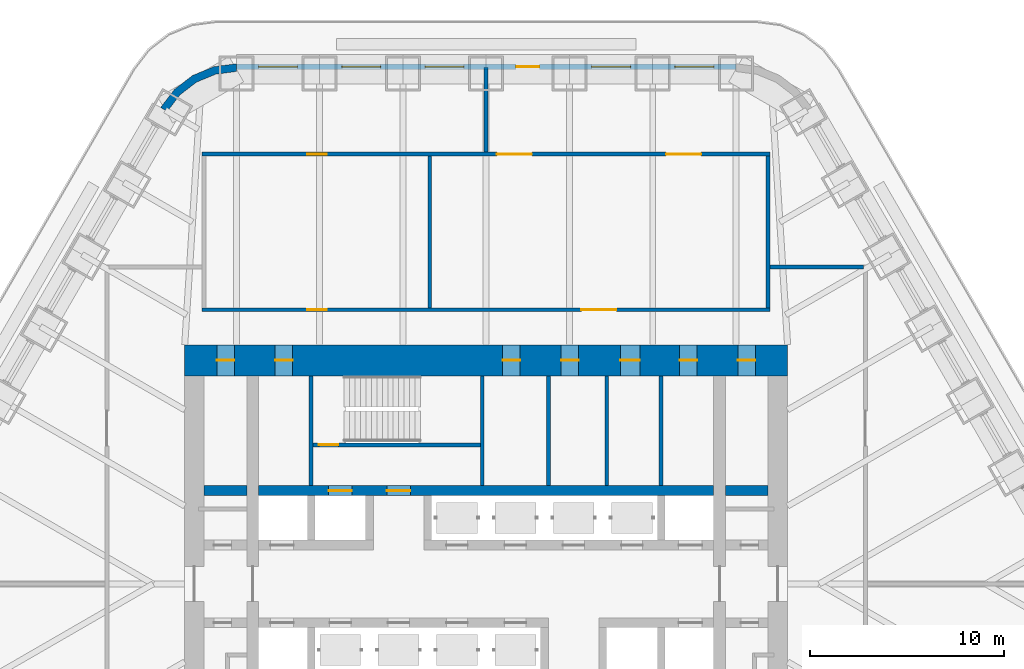
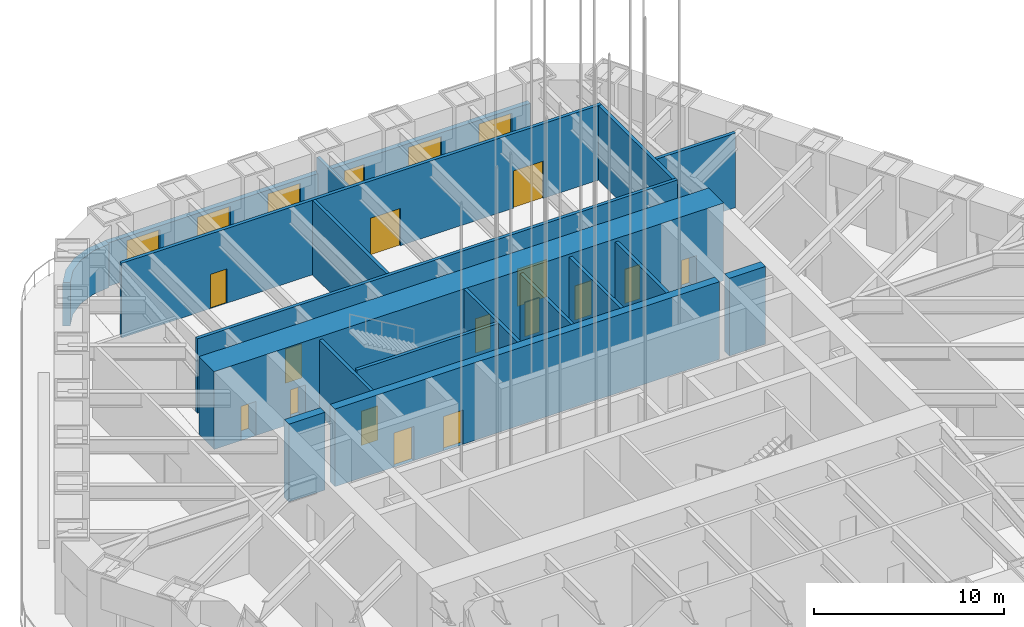
# One storey, part 10 of 14: 18 walls, 16 doors, 5 windows, 21 openings.
"""IFC4 building model written with IfcOpenShell, lengths in metres."""

from ifc_helpers import new_model, si_unit, direction, frame, frame_2d, origin, place, context, subcontext, project, spatial, polyline, rectangle, outline, extrude, material, layer, layer_set, type_object, element, fill, save


model = new_model("IFC4")

# Units and contexts
model_context = context("Model", 3, precision=1e-05, world=origin(), true_north=direction((0.0, 1.0)))
body_context = subcontext(model_context, "Body", "Model", "MODEL_VIEW")
ifc_project = project(units=[si_unit("LENGTHUNIT", "METRE"), si_unit("AREAUNIT", "SQUARE_METRE"), si_unit("VOLUMEUNIT", "CUBIC_METRE"), si_unit("PLANEANGLEUNIT", "RADIAN"), si_unit("MASSUNIT", "GRAM", prefix="KILO")], contexts=[model_context])

# Site, building, storey
site_placement = place(None, origin())
site = spatial("IfcSite", under=ifc_project, at=site_placement, CompositionType="ELEMENT")
building_placement = place(site_placement, origin())
building = spatial("IfcBuilding", under=site, at=building_placement, Name="Tarfa Lantern Tower", CompositionType="ELEMENT")
storey_placement = place(building_placement, frame((0.0, 0.0, 306.5)))
storey = spatial("IfcBuildingStorey", under=building, at=storey_placement, Name="L69", CompositionType="ELEMENT", Elevation=306.5)

# Wall, openings, door, windows
ifc_material_1 = material(Name="Limestone cladding on blockwork", Category="masonry")
ifc_layer_1 = layer(ifc_material_1, 0.300048828125)
ifc_layer_set_1 = layer_set([ifc_layer_1], Name="EW1 STONE-CLAD WALL 300")
wall_type_1 = type_object("IfcWallType", Name="EW1 STONE-CLAD WALL 300", PredefinedType="SOLIDWALL", material=ifc_layer_set_1)
wall_1_placement = place(storey_placement, frame((12.845947265625, 26.60009765625, 0.0), z_axis=(0.0, 0.0, 1.0), x_axis=(-1.0, 0.0, 0.0)))
wall_1 = element("IfcWall", 1, at=wall_1_placement, inside=storey, type_object=wall_type_1, Name="Stone wall N", PredefinedType="SOLIDWALL", context=body_context, shape_type="SweptSolid", body=[
    extrude(rectangle(XDim=25.69189453125, YDim=0.300048828125, at=frame_2d((12.845947265625, 0.0))), origin(), (0.0, 0.0, 1.0), 2.800048828125),
])
opening_1_placement = place(wall_1_placement, frame((1.14111328125, 0.0, 0.60009765625)))
opening_1 = element("IfcOpeningElement", 2, at=opening_1_placement, cuts=wall_1, Name="Opening W11", PredefinedType="OPENING", context=body_context, shape_type="SweptSolid", body=[
    extrude(rectangle(XDim=2.0, YDim=1.949951171875, at=frame_2d((1.0, 0.97509765625))), frame((0.0, 0.159912109375, 0.0), z_axis=(0.0, -1.0, 0.0), x_axis=(1.0, 0.0, 0.0)), (0.0, 0.0, 1.0), 0.320068359375),
])
opening_2_placement = place(wall_1_placement, frame((5.423095703125, 0.0, 0.60009765625)))
opening_2 = element("IfcOpeningElement", 3, at=opening_2_placement, cuts=wall_1, Name="Opening W11", PredefinedType="OPENING", context=body_context, shape_type="SweptSolid", body=[
    extrude(rectangle(XDim=2.0, YDim=1.949951171875, at=frame_2d((1.0, 0.97509765625))), frame((0.0, 0.159912109375, 0.0), z_axis=(0.0, -1.0, 0.0), x_axis=(1.0, 0.0, 0.0)), (0.0, 0.0, 1.0), 0.320068359375),
])
opening_3_placement = place(wall_1_placement, frame((10.10498046875, 0.0, 0.0)))
opening_3 = element("IfcOpeningElement", 4, at=opening_3_placement, cuts=wall_1, Name="Opening D42", PredefinedType="OPENING", context=body_context, shape_type="SweptSolid", body=[
    extrude(rectangle(XDim=1.199951171875, YDim=2.39990234375, at=frame_2d((0.60009765625, 1.199951171875))), frame((0.0, 0.159912109375, 0.0), z_axis=(0.0, -1.0, 0.0), x_axis=(1.0, 0.0, 0.0)), (0.0, 0.0, 1.0), 0.320068359375),
])
opening_4_placement = place(wall_1_placement, frame((13.987060546875, 0.0, 0.60009765625)))
opening_4 = element("IfcOpeningElement", 5, at=opening_4_placement, cuts=wall_1, Name="Opening W11", PredefinedType="OPENING", context=body_context, shape_type="SweptSolid", body=[
    extrude(rectangle(XDim=2.0, YDim=1.949951171875, at=frame_2d((1.0, 0.97509765625))), frame((0.0, 0.159912109375, 0.0), z_axis=(0.0, -1.0, 0.0), x_axis=(1.0, 0.0, 0.0)), (0.0, 0.0, 1.0), 0.320068359375),
])
opening_5_placement = place(wall_1_placement, frame((18.26904296875, 0.0, 0.60009765625)))
opening_5 = element("IfcOpeningElement", 6, at=opening_5_placement, cuts=wall_1, Name="Opening W11", PredefinedType="OPENING", context=body_context, shape_type="SweptSolid", body=[
    extrude(rectangle(XDim=2.0, YDim=1.949951171875, at=frame_2d((1.0, 0.97509765625))), frame((0.0, 0.159912109375, 0.0), z_axis=(0.0, -1.0, 0.0), x_axis=(1.0, 0.0, 0.0)), (0.0, 0.0, 1.0), 0.320068359375),
])
opening_6_placement = place(wall_1_placement, frame((22.551025390625, 0.0, 0.60009765625)))
opening_6 = element("IfcOpeningElement", 7, at=opening_6_placement, cuts=wall_1, Name="Opening W11", PredefinedType="OPENING", context=body_context, shape_type="SweptSolid", body=[
    extrude(rectangle(XDim=2.0, YDim=1.949951171875, at=frame_2d((1.0, 0.97509765625))), frame((0.0, 0.159912109375, 0.0), z_axis=(0.0, -1.0, 0.0), x_axis=(1.0, 0.0, 0.0)), (0.0, 0.0, 1.0), 0.320068359375),
])
ifc_material_2 = material(Name="Aluminium framed glazed door", Category="aluminium")
door_type_1 = type_object("IfcDoorType", Name="BE3 BALCONY DOOR 1200x2400", OperationType="SINGLE_SWING_RIGHT", PredefinedType="DOOR", material=ifc_material_2)
door_1_placement = place(opening_3_placement, origin())
door_1 = element("IfcDoor", 8, at=door_1_placement, inside=storey, type_object=door_type_1, Name="Balcony door N", OperationType="SINGLE_SWING_LEFT", OverallHeight=2.39990234375, OverallWidth=1.199951171875, PredefinedType="DOOR", context=body_context, shape_type="SweptSolid", body=[
    extrude(rectangle(XDim=1.199951171875, YDim=2.39990234375, at=frame_2d((0.60009765625, 1.199951171875))), frame((0.0, 0.02490234375, 0.0), z_axis=(0.0, -1.0, 0.0), x_axis=(1.0, 0.0, 0.0)), (0.0, 0.0, 1.0), 0.050048828125),
])
fill(opening_3, door_1)
ifc_material_3 = material(Name="Aluminium frame, double glazed", Category="aluminium")
window_type = type_object("IfcWindowType", Name="W11 FULL-HEIGHT GLAZING 2000x1950", PartitioningType="SINGLE_PANEL", PredefinedType="WINDOW", material=ifc_material_3)
window_1_placement = place(opening_1_placement, origin())
window_1 = element("IfcWindow", 9, at=window_1_placement, inside=storey, type_object=window_type, Name="Window N 1", OverallHeight=1.949951171875, OverallWidth=2.0, PartitioningType="SINGLE_PANEL", PredefinedType="WINDOW", context=body_context, shape_type="SweptSolid", body=[
    extrude(rectangle(XDim=2.0, YDim=1.949951171875, at=frame_2d((1.0, 0.97509765625))), frame((0.0, 0.030029296875, 0.0), z_axis=(0.0, -1.0, 0.0), x_axis=(1.0, 0.0, 0.0)), (0.0, 0.0, 1.0), 0.06005859375),
])
fill(opening_1, window_1)
window_2_placement = place(opening_2_placement, origin())
window_2 = element("IfcWindow", 10, at=window_2_placement, inside=storey, type_object=window_type, Name="Window N 2", OverallHeight=1.949951171875, OverallWidth=2.0, PartitioningType="SINGLE_PANEL", PredefinedType="WINDOW", context=body_context, shape_type="SweptSolid", body=[
    extrude(rectangle(XDim=2.0, YDim=1.949951171875, at=frame_2d((1.0, 0.97509765625))), frame((0.0, 0.030029296875, 0.0), z_axis=(0.0, -1.0, 0.0), x_axis=(1.0, 0.0, 0.0)), (0.0, 0.0, 1.0), 0.06005859375),
])
fill(opening_2, window_2)
window_3_placement = place(opening_4_placement, origin())
window_3 = element("IfcWindow", 11, at=window_3_placement, inside=storey, type_object=window_type, Name="Window N 4", OverallHeight=1.949951171875, OverallWidth=2.0, PartitioningType="SINGLE_PANEL", PredefinedType="WINDOW", context=body_context, shape_type="SweptSolid", body=[
    extrude(rectangle(XDim=2.0, YDim=1.949951171875, at=frame_2d((1.0, 0.97509765625))), frame((0.0, 0.030029296875, 0.0), z_axis=(0.0, -1.0, 0.0), x_axis=(1.0, 0.0, 0.0)), (0.0, 0.0, 1.0), 0.06005859375),
])
fill(opening_4, window_3)
window_4_placement = place(opening_5_placement, origin())
window_4 = element("IfcWindow", 12, at=window_4_placement, inside=storey, type_object=window_type, Name="Window N 5", OverallHeight=1.949951171875, OverallWidth=2.0, PartitioningType="SINGLE_PANEL", PredefinedType="WINDOW", context=body_context, shape_type="SweptSolid", body=[
    extrude(rectangle(XDim=2.0, YDim=1.949951171875, at=frame_2d((1.0, 0.97509765625))), frame((0.0, 0.030029296875, 0.0), z_axis=(0.0, -1.0, 0.0), x_axis=(1.0, 0.0, 0.0)), (0.0, 0.0, 1.0), 0.06005859375),
])
fill(opening_5, window_4)
window_5_placement = place(opening_6_placement, origin())
window_5 = element("IfcWindow", 13, at=window_5_placement, inside=storey, type_object=window_type, Name="Window N 6", OverallHeight=1.949951171875, OverallWidth=2.0, PartitioningType="SINGLE_PANEL", PredefinedType="WINDOW", context=body_context, shape_type="SweptSolid", body=[
    extrude(rectangle(XDim=2.0, YDim=1.949951171875, at=frame_2d((1.0, 0.97509765625))), frame((0.0, 0.030029296875, 0.0), z_axis=(0.0, -1.0, 0.0), x_axis=(1.0, 0.0, 0.0)), (0.0, 0.0, 1.0), 0.06005859375),
])
fill(opening_6, window_5)

# Walls
ifc_layer_2 = layer(ifc_material_1, 0.39990234375)
ifc_layer_set_2 = layer_set([ifc_layer_2], Name="EW2 CURVED STONE CORNER 400")
wall_type_2 = type_object("IfcWallType", Name="EW2 CURVED STONE CORNER 400", PredefinedType="SOLIDWALL", material=ifc_layer_set_2)
wall_2_placement = place(storey_placement, origin())
element("IfcWall", 14, at=wall_2_placement, inside=storey, type_object=wall_type_2, Name="Stone corner N-NW", PredefinedType="SOLIDWALL", context=body_context, shape_type="SweptSolid", body=[
    extrude(outline(polyline([(-12.845947265625, 26.75), (-14.0107421875, 26.5966796875), (-15.095947265625, 26.147216796875), (-16.028076171875, 25.431884765625), (-16.7431640625, 24.5), (-16.396728515625, 24.300048828125), (-15.7451171875, 25.149169921875), (-14.89599609375, 25.80078125), (-13.9072265625, 26.210205078125), (-12.845947265625, 26.35009765625), (-12.845947265625, 26.75)])), origin(), (0.0, 0.0, 1.0), 2.800048828125),
])
ifc_material_4 = material(Name="Concrete blockwork", Category="masonry")
ifc_layer_3 = layer(ifc_material_4, 0.199951171875)
ifc_layer_set_3 = layer_set([ifc_layer_3], Name="IW1 BLOCKWORK PARTITION 200 EI 120")
wall_type_3 = type_object("IfcWallType", Name="IW1 BLOCKWORK PARTITION 200 EI 120", PredefinedType="PARTITIONING", material=ifc_layer_set_3)
for number, where, z_axis, x_axis, name in (
    (15, (-9.0, 5.050048828125, 0.0), (0.0, 0.0, 1.0), (0.0, 1.0, 0.0), "Core partition"),
    (16, (9.0, 5.050048828125, 0.0), (0.0, 0.0, 1.0), (0.0, 1.0, 0.0), "Core partition"),
    (17, (3.199951171875, 5.050048828125, 0.0), (0.0, 0.0, 1.0), (0.0, 1.0, 0.0), "Core partition"),
    (18, (6.199951171875, 5.050048828125, 0.0), (0.0, 0.0, 1.0), (0.0, 1.0, 0.0), "Core partition"),
):
    element("IfcWall", number, at=place(storey_placement, frame(where, z_axis=z_axis, x_axis=x_axis)), inside=storey, type_object=wall_type_3, Name=name, PredefinedType="PARTITIONING", context=body_context, shape_type="SweptSolid", body=[
        extrude(rectangle(XDim=5.64990234375, YDim=0.199951171875, at=frame_2d((2.824951171875, 0.0))), origin(), (0.0, 0.0, 1.0), 4.800048828125),
    ])

# Wall, openings, doors
ifc_material_5 = material(Name="Gypsum board on steel studs", Category="steel")
ifc_layer_4 = layer(ifc_material_5, 0.2099609375)
ifc_layer_set_4 = layer_set([ifc_layer_4], Name="IW2 ACOUSTIC PARTITION 200")
wall_type_4 = type_object("IfcWallType", Name="IW2 ACOUSTIC PARTITION 200", PredefinedType="PARTITIONING", material=ifc_layer_set_4)
wall_3_placement = place(storey_placement, frame((-14.60009765625, 14.10009765625, 0.0), z_axis=(0.0, 0.0, 1.0), x_axis=(1.0, 0.0, 0.0)))
wall_3 = element("IfcWall", 19, at=wall_3_placement, inside=storey, type_object=wall_type_4, Name="Partition", PredefinedType="PARTITIONING", context=body_context, shape_type="SweptSolid", body=[
    extrude(rectangle(XDim=29.2001953125, YDim=0.199951171875, at=frame_2d((14.60009765625, 0.0))), origin(), (0.0, 0.0, 1.0), 4.800048828125),
])
opening_7_placement = place(wall_3_placement, frame((5.39990234375, 0.0, 0.0)))
opening_7 = element("IfcOpeningElement", 20, at=opening_7_placement, cuts=wall_3, Name="Opening D33", PredefinedType="OPENING", context=body_context, shape_type="SweptSolid", body=[
    extrude(rectangle(XDim=1.0, YDim=2.199951171875, at=frame_2d((0.5, 1.10009765625))), frame((0.0, 0.10986328125, 0.0), z_axis=(0.0, -1.0, 0.0), x_axis=(1.0, 0.0, 0.0)), (0.0, 0.0, 1.0), 0.219970703125),
])
opening_8_placement = place(wall_3_placement, frame((19.5, 0.0, 0.0)))
opening_8 = element("IfcOpeningElement", 21, at=opening_8_placement, cuts=wall_3, Name="Opening D34", PredefinedType="OPENING", context=body_context, shape_type="SweptSolid", body=[
    extrude(rectangle(XDim=1.800048828125, YDim=2.39990234375, at=frame_2d((0.89990234375, 1.199951171875))), frame((0.0, 0.10986328125, 0.0), z_axis=(0.0, -1.0, 0.0), x_axis=(1.0, 0.0, 0.0)), (0.0, 0.0, 1.0), 0.219970703125),
])
ifc_material_6 = material(Name="Timber door", Category="wood")
door_type_2 = type_object("IfcDoorType", Name="DR1 ROOM DOOR 1000x2200", OperationType="SINGLE_SWING_LEFT", PredefinedType="DOOR", material=ifc_material_6)
door_2_placement = place(opening_7_placement, origin())
door_2 = element("IfcDoor", 22, at=door_2_placement, inside=storey, type_object=door_type_2, Name="Arrival reception door", OperationType="SINGLE_SWING_RIGHT", OverallHeight=2.199951171875, OverallWidth=1.0, PredefinedType="DOOR", context=body_context, shape_type="SweptSolid", body=[
    extrude(rectangle(XDim=1.0, YDim=2.199951171875, at=frame_2d((0.5, 1.10009765625))), frame((0.0, 0.02490234375, 0.0), z_axis=(0.0, -1.0, 0.0), x_axis=(1.0, 0.0, 0.0)), (0.0, 0.0, 1.0), 0.050048828125),
])
fill(opening_7, door_2)
door_type_3 = type_object("IfcDoorType", Name="DR2 ROOM DOOR 1800x2400", OperationType="DOUBLE_DOOR_SINGLE_SWING", PredefinedType="DOOR", material=ifc_material_6)
door_3_placement = place(opening_8_placement, origin())
door_3 = element("IfcDoor", 23, at=door_3_placement, inside=storey, type_object=door_type_3, Name="Majlis door", OperationType="DOUBLE_DOOR_SINGLE_SWING", OverallHeight=2.39990234375, OverallWidth=1.800048828125, PredefinedType="DOOR", context=body_context, shape_type="SweptSolid", body=[
    extrude(rectangle(XDim=1.800048828125, YDim=2.39990234375, at=frame_2d((0.89990234375, 1.199951171875))), frame((0.0, 0.02490234375, 0.0), z_axis=(0.0, -1.0, 0.0), x_axis=(1.0, 0.0, 0.0)), (0.0, 0.0, 1.0), 0.050048828125),
])
fill(opening_8, door_3)

# Walls
for number, where, z_axis, x_axis, name in (
    (24, (-2.89990234375, 14.199951171875, 0.0), (0.0, 0.0, 1.0), (0.0, 1.0, 0.0), "Partition"),
    (25, (14.5, 14.199951171875, 0.0), (0.0, 0.0, 1.0), (0.0, 1.0, 0.0), "Partition"),
):
    element("IfcWall", number, at=place(storey_placement, frame(where, z_axis=z_axis, x_axis=x_axis)), inside=storey, type_object=wall_type_4, Name=name, PredefinedType="PARTITIONING", context=body_context, shape_type="SweptSolid", body=[
        extrude(rectangle(XDim=7.800048828125, YDim=0.199951171875, at=frame_2d((3.89990234375, 0.0))), origin(), (0.0, 0.0, 1.0), 4.800048828125),
    ])

# Wall, openings, doors
wall_4_placement = place(storey_placement, frame((-14.60009765625, 22.10009765625, 0.0), z_axis=(0.0, 0.0, 1.0), x_axis=(1.0, 0.0, 0.0)))
wall_4 = element("IfcWall", 26, at=wall_4_placement, inside=storey, type_object=wall_type_4, Name="Partition", PredefinedType="PARTITIONING", context=body_context, shape_type="SweptSolid", body=[
    extrude(rectangle(XDim=29.2001953125, YDim=0.199951171875, at=frame_2d((14.60009765625, 0.0))), origin(), (0.0, 0.0, 1.0), 4.800048828125),
])
opening_9_placement = place(wall_4_placement, frame((5.39990234375, 0.0, 0.0)))
opening_9 = element("IfcOpeningElement", 27, at=opening_9_placement, cuts=wall_4, Name="Opening D27", PredefinedType="OPENING", context=body_context, shape_type="SweptSolid", body=[
    extrude(rectangle(XDim=1.0, YDim=2.199951171875, at=frame_2d((0.5, 1.10009765625))), frame((0.0, 0.10986328125, 0.0), z_axis=(0.0, -1.0, 0.0), x_axis=(1.0, 0.0, 0.0)), (0.0, 0.0, 1.0), 0.219970703125),
])
opening_10_placement = place(wall_4_placement, frame((15.14990234375, 0.0, 0.0)))
opening_10 = element("IfcOpeningElement", 28, at=opening_10_placement, cuts=wall_4, Name="Opening D28", PredefinedType="OPENING", context=body_context, shape_type="SweptSolid", body=[
    extrude(rectangle(XDim=1.800048828125, YDim=2.39990234375, at=frame_2d((0.89990234375, 1.199951171875))), frame((0.0, 0.10986328125, 0.0), z_axis=(0.0, -1.0, 0.0), x_axis=(1.0, 0.0, 0.0)), (0.0, 0.0, 1.0), 0.219970703125),
])
opening_11_placement = place(wall_4_placement, frame((23.85009765625, 0.0, 0.0)))
opening_11 = element("IfcOpeningElement", 29, at=opening_11_placement, cuts=wall_4, Name="Opening D29", PredefinedType="OPENING", context=body_context, shape_type="SweptSolid", body=[
    extrude(rectangle(XDim=1.800048828125, YDim=2.39990234375, at=frame_2d((0.89990234375, 1.199951171875))), frame((0.0, 0.10986328125, 0.0), z_axis=(0.0, -1.0, 0.0), x_axis=(1.0, 0.0, 0.0)), (0.0, 0.0, 1.0), 0.219970703125),
])
door_4_placement = place(opening_9_placement, frame((1.0, 0.0, 0.0), z_axis=(0.0, 0.0, 1.0), x_axis=(-1.0, 0.0, 0.0)))
door_4 = element("IfcDoor", 30, at=door_4_placement, inside=storey, type_object=door_type_2, Name="Arrival reception door", OperationType="SINGLE_SWING_LEFT", OverallHeight=2.199951171875, OverallWidth=1.0, PredefinedType="DOOR", context=body_context, shape_type="SweptSolid", body=[
    extrude(rectangle(XDim=1.0, YDim=2.199951171875, at=frame_2d((0.5, 1.10009765625))), frame((0.0, 0.02490234375, 0.0), z_axis=(0.0, -1.0, 0.0), x_axis=(1.0, 0.0, 0.0)), (0.0, 0.0, 1.0), 0.050048828125),
])
fill(opening_9, door_4)
door_5_placement = place(opening_10_placement, frame((1.800048828125, 0.0, 0.0), z_axis=(0.0, 0.0, 1.0), x_axis=(-1.0, 0.0, 0.0)))
door_5 = element("IfcDoor", 31, at=door_5_placement, inside=storey, type_object=door_type_3, Name="Majlis door", OperationType="DOUBLE_DOOR_SINGLE_SWING", OverallHeight=2.39990234375, OverallWidth=1.800048828125, PredefinedType="DOOR", context=body_context, shape_type="SweptSolid", body=[
    extrude(rectangle(XDim=1.800048828125, YDim=2.39990234375, at=frame_2d((0.89990234375, 1.199951171875))), frame((0.0, 0.02490234375, 0.0), z_axis=(0.0, -1.0, 0.0), x_axis=(1.0, 0.0, 0.0)), (0.0, 0.0, 1.0), 0.050048828125),
])
fill(opening_10, door_5)
door_6_placement = place(opening_11_placement, frame((1.800048828125, 0.0, 0.0), z_axis=(0.0, 0.0, 1.0), x_axis=(-1.0, 0.0, 0.0)))
door_6 = element("IfcDoor", 32, at=door_6_placement, inside=storey, type_object=door_type_3, Name="Majlis door", OperationType="DOUBLE_DOOR_SINGLE_SWING", OverallHeight=2.39990234375, OverallWidth=1.800048828125, PredefinedType="DOOR", context=body_context, shape_type="SweptSolid", body=[
    extrude(rectangle(XDim=1.800048828125, YDim=2.39990234375, at=frame_2d((0.89990234375, 1.199951171875))), frame((0.0, 0.02490234375, 0.0), z_axis=(0.0, -1.0, 0.0), x_axis=(1.0, 0.0, 0.0)), (0.0, 0.0, 1.0), 0.050048828125),
])
fill(opening_11, door_6)

# Walls
wall_5_placement = place(storey_placement, frame((14.60009765625, 16.300048828125, 0.0), z_axis=(0.0, 0.0, 1.0), x_axis=(1.0, 0.0, 0.0)))
element("IfcWall", 33, at=wall_5_placement, inside=storey, type_object=wall_type_4, Name="Partition", PredefinedType="PARTITIONING", context=body_context, shape_type="SweptSolid", body=[
    extrude(rectangle(XDim=4.7998046875, YDim=0.199951171875, at=frame_2d((2.39990234375, 0.0))), origin(), (0.0, 0.0, 1.0), 4.800048828125),
])
wall_6_placement = place(storey_placement, frame((0.0, 22.199951171875, 0.0), z_axis=(0.0, 0.0, 1.0), x_axis=(0.0, 1.0, 0.0)))
element("IfcWall", 34, at=wall_6_placement, inside=storey, type_object=wall_type_4, Name="Partition", PredefinedType="PARTITIONING", context=body_context, shape_type="SweptSolid", body=[
    extrude(rectangle(XDim=4.360107421875, YDim=0.199951171875, at=frame_2d((2.18017578125, 0.0))), origin(), (0.0, 0.0, 1.0), 3.7919921875),
])
ifc_material_7 = material(Name="Concrete C80/95", Category="concrete")
ifc_layer_5 = layer(ifc_material_7, 0.199951171875)
ifc_layer_set_5 = layer_set([ifc_layer_5], Name="SW12 CORE WALL 200")
wall_type_5 = type_object("IfcWallType", Name="SW12 CORE WALL 200", PredefinedType="SHEAR", material=ifc_layer_set_5)
wall_7_placement = place(storey_placement, frame((-0.199951171875, 5.050048828125, 0.0), z_axis=(0.0, 0.0, 1.0), x_axis=(0.0, 1.0, 0.0)))
element("IfcWall", 35, at=wall_7_placement, inside=storey, type_object=wall_type_5, Name="Core wall stair shaft N", PredefinedType="SHEAR", context=body_context, shape_type="SweptSolid", body=[
    extrude(rectangle(XDim=5.64990234375, YDim=0.199951171875, at=frame_2d((2.824951171875, 0.0))), origin(), (0.0, 0.0, 1.0), 5.0),
])

# Wall, opening, door
wall_8_placement = place(storey_placement, frame((-8.89990234375, 7.14990234375, 0.0), z_axis=(0.0, 0.0, 1.0), x_axis=(1.0, 0.0, 0.0)))
wall_8 = element("IfcWall", 36, at=wall_8_placement, inside=storey, type_object=wall_type_5, Name="Core wall stair partition N", PredefinedType="SHEAR", context=body_context, shape_type="SweptSolid", body=[
    extrude(rectangle(XDim=8.599853515625, YDim=0.199951171875, at=frame_2d((4.2998046875, 0.0))), origin(), (0.0, 0.0, 1.0), 5.0),
])
opening_12_placement = place(wall_8_placement, frame((0.300048828125, 0.0, 0.0)))
opening_12 = element("IfcOpeningElement", 37, at=opening_12_placement, cuts=wall_8, Name="Opening D23", PredefinedType="OPENING", context=body_context, shape_type="SweptSolid", body=[
    extrude(rectangle(XDim=1.0, YDim=2.199951171875, at=frame_2d((0.5, 1.10009765625))), frame((0.0, 0.10986328125, 0.0), z_axis=(0.0, -1.0, 0.0), x_axis=(1.0, 0.0, 0.0)), (0.0, 0.0, 1.0), 0.219970703125),
])
ifc_material_8 = material(Name="Steel fire door", Category="steel")
door_type_4 = type_object("IfcDoorType", Name="DF2 STAIR DOOR 1000x2200", OperationType="SINGLE_SWING_LEFT", PredefinedType="DOOR", material=ifc_material_8)
door_7_placement = place(opening_12_placement, origin())
door_7 = element("IfcDoor", 38, at=door_7_placement, inside=storey, type_object=door_type_4, Name="Stair door", OperationType="SINGLE_SWING_RIGHT", OverallHeight=2.199951171875, OverallWidth=1.0, PredefinedType="DOOR", context=body_context, shape_type="SweptSolid", body=[
    extrude(rectangle(XDim=1.0, YDim=2.199951171875, at=frame_2d((0.5, 1.10009765625))), frame((0.0, 0.02490234375, 0.0), z_axis=(0.0, -1.0, 0.0), x_axis=(1.0, 0.0, 0.0)), (0.0, 0.0, 1.0), 0.050048828125),
])
fill(opening_12, door_7)

# Wall
ifc_layer_6 = layer(ifc_material_7, 0.5)
ifc_layer_set_6 = layer_set([ifc_layer_6], Name="SW5 CORE WALL 500")
wall_type_6 = type_object("IfcWallType", Name="SW5 CORE WALL 500", PredefinedType="SHEAR", material=ifc_layer_set_6)
wall_9_placement = place(storey_placement, frame((-14.5, 4.800048828125, 0.0), z_axis=(0.0, 0.0, 1.0), x_axis=(1.0, 0.0, 0.0)))
element("IfcWall", 39, at=wall_9_placement, inside=storey, type_object=wall_type_6, Name="Core wall rear N", PredefinedType="SHEAR", context=body_context, shape_type="SweptSolid", body=[
    extrude(rectangle(XDim=2.199951171875, YDim=0.5, at=frame_2d((1.10009765625, 0.0))), origin(), (0.0, 0.0, 1.0), 5.0),
])

# Wall, openings, doors
wall_10_placement = place(storey_placement, frame((-11.699951171875, 4.800048828125, 0.0), z_axis=(0.0, 0.0, 1.0), x_axis=(1.0, 0.0, 0.0)))
wall_10 = element("IfcWall", 40, at=wall_10_placement, inside=storey, type_object=wall_type_6, Name="Core wall rear N", PredefinedType="SHEAR", context=body_context, shape_type="SweptSolid", body=[
    extrude(rectangle(XDim=23.39990234375, YDim=0.5, at=frame_2d((11.699951171875, 0.0))), origin(), (0.0, 0.0, 1.0), 5.0),
])
opening_13_placement = place(wall_10_placement, frame((6.60009765625, 0.0, 0.0)))
opening_13 = element("IfcOpeningElement", 41, at=opening_13_placement, cuts=wall_10, Name="Opening D09", PredefinedType="OPENING", context=body_context, shape_type="SweptSolid", body=[
    extrude(rectangle(XDim=1.199951171875, YDim=2.199951171875, at=frame_2d((0.60009765625, 1.10009765625))), frame((0.0, 0.260009765625, 0.0), z_axis=(0.0, -1.0, 0.0), x_axis=(1.0, 0.0, 0.0)), (0.0, 0.0, 1.0), 0.52001953125),
])
opening_14_placement = place(wall_10_placement, frame((3.60009765625, 0.0, 0.0)))
opening_14 = element("IfcOpeningElement", 42, at=opening_14_placement, cuts=wall_10, Name="Opening LD01", PredefinedType="OPENING", context=body_context, shape_type="SweptSolid", body=[
    extrude(rectangle(XDim=1.199951171875, YDim=2.199951171875, at=frame_2d((0.60009765625, 1.10009765625))), frame((0.0, 0.260009765625, 0.0), z_axis=(0.0, -1.0, 0.0), x_axis=(1.0, 0.0, 0.0)), (0.0, 0.0, 1.0), 0.52001953125),
])
door_type_5 = type_object("IfcDoorType", Name="DF1 FIREFIGHTING LOBBY DOOR 1200x2200", OperationType="SINGLE_SWING_LEFT", PredefinedType="DOOR", material=ifc_material_8)
door_8_placement = place(opening_13_placement, origin())
door_8 = element("IfcDoor", 43, at=door_8_placement, inside=storey, type_object=door_type_5, Name="Firefighting lobby door", OperationType="SINGLE_SWING_LEFT", OverallHeight=2.199951171875, OverallWidth=1.199951171875, PredefinedType="DOOR", context=body_context, shape_type="SweptSolid", body=[
    extrude(rectangle(XDim=1.199951171875, YDim=2.199951171875, at=frame_2d((0.60009765625, 1.10009765625))), frame((0.0, 0.02490234375, 0.0), z_axis=(0.0, -1.0, 0.0), x_axis=(1.0, 0.0, 0.0)), (0.0, 0.0, 1.0), 0.050048828125),
])
fill(opening_13, door_8)
ifc_material_9 = material(Name="Stainless steel lift door", Category="steel")
door_type_6 = type_object("IfcDoorType", Name="LD1 LIFT LANDING DOOR 1200x2200", OperationType="SLIDING_TO_LEFT", PredefinedType="DOOR", material=ifc_material_9)
door_9_placement = place(opening_14_placement, origin())
door_9 = element("IfcDoor", 44, at=door_9_placement, inside=storey, type_object=door_type_6, Name="Landing door FL1", OperationType="SLIDING_TO_LEFT", OverallHeight=2.199951171875, OverallWidth=1.199951171875, PredefinedType="DOOR", context=body_context, shape_type="SweptSolid", body=[
    extrude(rectangle(XDim=1.199951171875, YDim=2.199951171875, at=frame_2d((0.60009765625, 1.10009765625))), frame((0.0, 0.02490234375, 0.0), z_axis=(0.0, -1.0, 0.0), x_axis=(1.0, 0.0, 0.0)), (0.0, 0.0, 1.0), 0.050048828125),
])
fill(opening_14, door_9)

# Wall
wall_11_placement = place(storey_placement, frame((12.300048828125, 4.800048828125, 0.0), z_axis=(0.0, 0.0, 1.0), x_axis=(1.0, 0.0, 0.0)))
element("IfcWall", 45, at=wall_11_placement, inside=storey, type_object=wall_type_6, Name="Core wall rear N", PredefinedType="SHEAR", context=body_context, shape_type="SweptSolid", body=[
    extrude(rectangle(XDim=2.199951171875, YDim=0.5, at=frame_2d((1.10009765625, 0.0))), origin(), (0.0, 0.0, 1.0), 5.0),
])

# Wall, openings, doors
ifc_layer_7 = layer(ifc_material_7, 1.60009765625)
ifc_layer_set_7 = layer_set([ifc_layer_7], Name="SW7 CORE WALL 1600")
wall_type_7 = type_object("IfcWallType", Name="SW7 CORE WALL 1600", PredefinedType="SHEAR", material=ifc_layer_set_7)
wall_12_placement = place(storey_placement, frame((-15.5, 11.5, 0.0), z_axis=(0.0, 0.0, 1.0), x_axis=(1.0, 0.0, 0.0)))
wall_12 = element("IfcWall", 46, at=wall_12_placement, inside=storey, type_object=wall_type_7, Name="Core wall N", PredefinedType="SHEAR", context=body_context, shape_type="SweptSolid", body=[
    extrude(rectangle(XDim=31.0, YDim=1.60009765625, at=frame_2d((15.5, 0.0))), origin(), (0.0, 0.0, 1.0), 5.0),
])
opening_15_placement = place(wall_12_placement, frame((16.35009765625, 0.0, 0.0)))
opening_15 = element("IfcOpeningElement", 47, at=opening_15_placement, cuts=wall_12, Name="Opening D17", PredefinedType="OPENING", context=body_context, shape_type="SweptSolid", body=[
    extrude(rectangle(XDim=0.89990234375, YDim=2.199951171875, at=frame_2d((0.449951171875, 1.10009765625))), frame((0.0, 0.81005859375, 0.0), z_axis=(0.0, -1.0, 0.0), x_axis=(1.0, 0.0, 0.0)), (0.0, 0.0, 1.0), 1.6201171875),
])
opening_16_placement = place(wall_12_placement, frame((19.35009765625, 0.0, 0.0)))
opening_16 = element("IfcOpeningElement", 48, at=opening_16_placement, cuts=wall_12, Name="Opening D19", PredefinedType="OPENING", context=body_context, shape_type="SweptSolid", body=[
    extrude(rectangle(XDim=0.89990234375, YDim=2.199951171875, at=frame_2d((0.449951171875, 1.10009765625))), frame((0.0, 0.81005859375, 0.0), z_axis=(0.0, -1.0, 0.0), x_axis=(1.0, 0.0, 0.0)), (0.0, 0.0, 1.0), 1.6201171875),
])
opening_17_placement = place(wall_12_placement, frame((22.39990234375, 0.0, 0.0)))
opening_17 = element("IfcOpeningElement", 49, at=opening_17_placement, cuts=wall_12, Name="Opening D21", PredefinedType="OPENING", context=body_context, shape_type="SweptSolid", body=[
    extrude(rectangle(XDim=1.0, YDim=2.199951171875, at=frame_2d((0.5, 1.10009765625))), frame((0.0, 0.81005859375, 0.0), z_axis=(0.0, -1.0, 0.0), x_axis=(1.0, 0.0, 0.0)), (0.0, 0.0, 1.0), 1.6201171875),
])
opening_18_placement = place(wall_12_placement, frame((1.64990234375, 0.0, 0.0)))
opening_18 = element("IfcOpeningElement", 50, at=opening_18_placement, cuts=wall_12, Name="Opening D07", PredefinedType="OPENING", context=body_context, shape_type="SweptSolid", body=[
    extrude(rectangle(XDim=0.89990234375, YDim=2.199951171875, at=frame_2d((0.449951171875, 1.10009765625))), frame((0.0, 0.81005859375, 0.0), z_axis=(0.0, -1.0, 0.0), x_axis=(1.0, 0.0, 0.0)), (0.0, 0.0, 1.0), 1.6201171875),
])
opening_19_placement = place(wall_12_placement, frame((4.64990234375, 0.0, 0.0)))
opening_19 = element("IfcOpeningElement", 51, at=opening_19_placement, cuts=wall_12, Name="Opening D05", PredefinedType="OPENING", context=body_context, shape_type="SweptSolid", body=[
    extrude(rectangle(XDim=0.89990234375, YDim=2.199951171875, at=frame_2d((0.449951171875, 1.10009765625))), frame((0.0, 0.81005859375, 0.0), z_axis=(0.0, -1.0, 0.0), x_axis=(1.0, 0.0, 0.0)), (0.0, 0.0, 1.0), 1.6201171875),
])
opening_20_placement = place(wall_12_placement, frame((25.449951171875, 0.0, 0.0)))
opening_20 = element("IfcOpeningElement", 52, at=opening_20_placement, cuts=wall_12, Name="Opening D03", PredefinedType="OPENING", context=body_context, shape_type="SweptSolid", body=[
    extrude(rectangle(XDim=0.89990234375, YDim=2.199951171875, at=frame_2d((0.449951171875, 1.10009765625))), frame((0.0, 0.81005859375, 0.0), z_axis=(0.0, -1.0, 0.0), x_axis=(1.0, 0.0, 0.0)), (0.0, 0.0, 1.0), 1.6201171875),
])
opening_21_placement = place(wall_12_placement, frame((28.449951171875, 0.0, 0.0)))
opening_21 = element("IfcOpeningElement", 53, at=opening_21_placement, cuts=wall_12, Name="Opening D01", PredefinedType="OPENING", context=body_context, shape_type="SweptSolid", body=[
    extrude(rectangle(XDim=0.89990234375, YDim=2.199951171875, at=frame_2d((0.449951171875, 1.10009765625))), frame((0.0, 0.81005859375, 0.0), z_axis=(0.0, -1.0, 0.0), x_axis=(1.0, 0.0, 0.0)), (0.0, 0.0, 1.0), 1.6201171875),
])
door_type_7 = type_object("IfcDoorType", Name="DF3 CORE ROOM DOOR 900x2200", OperationType="SINGLE_SWING_LEFT", PredefinedType="DOOR", material=ifc_material_8)
door_10_placement = place(opening_15_placement, frame((0.89990234375, 0.0, 0.0), z_axis=(0.0, 0.0, 1.0), x_axis=(-1.0, 0.0, 0.0)))
door_10 = element("IfcDoor", 54, at=door_10_placement, inside=storey, type_object=door_type_7, Name="Core door", OperationType="SINGLE_SWING_LEFT", OverallHeight=2.199951171875, OverallWidth=0.89990234375, PredefinedType="DOOR", context=body_context, shape_type="SweptSolid", body=[
    extrude(rectangle(XDim=0.89990234375, YDim=2.199951171875, at=frame_2d((0.449951171875, 1.10009765625))), frame((0.0, 0.02490234375, 0.0), z_axis=(0.0, -1.0, 0.0), x_axis=(1.0, 0.0, 0.0)), (0.0, 0.0, 1.0), 0.050048828125),
])
fill(opening_15, door_10)
door_11_placement = place(opening_16_placement, frame((0.89990234375, 0.0, 0.0), z_axis=(0.0, 0.0, 1.0), x_axis=(-1.0, 0.0, 0.0)))
door_11 = element("IfcDoor", 55, at=door_11_placement, inside=storey, type_object=door_type_7, Name="Core door", OperationType="SINGLE_SWING_LEFT", OverallHeight=2.199951171875, OverallWidth=0.89990234375, PredefinedType="DOOR", context=body_context, shape_type="SweptSolid", body=[
    extrude(rectangle(XDim=0.89990234375, YDim=2.199951171875, at=frame_2d((0.449951171875, 1.10009765625))), frame((0.0, 0.02490234375, 0.0), z_axis=(0.0, -1.0, 0.0), x_axis=(1.0, 0.0, 0.0)), (0.0, 0.0, 1.0), 0.050048828125),
])
fill(opening_16, door_11)
door_type_8 = type_object("IfcDoorType", Name="DF4 CORE ROOM DOOR 1000x2200", OperationType="SINGLE_SWING_LEFT", PredefinedType="DOOR", material=ifc_material_8)
door_12_placement = place(opening_17_placement, frame((1.0, 0.0, 0.0), z_axis=(0.0, 0.0, 1.0), x_axis=(-1.0, 0.0, 0.0)))
door_12 = element("IfcDoor", 56, at=door_12_placement, inside=storey, type_object=door_type_8, Name="Core door", OperationType="SINGLE_SWING_LEFT", OverallHeight=2.199951171875, OverallWidth=1.0, PredefinedType="DOOR", context=body_context, shape_type="SweptSolid", body=[
    extrude(rectangle(XDim=1.0, YDim=2.199951171875, at=frame_2d((0.5, 1.10009765625))), frame((0.0, 0.02490234375, 0.0), z_axis=(0.0, -1.0, 0.0), x_axis=(1.0, 0.0, 0.0)), (0.0, 0.0, 1.0), 0.050048828125),
])
fill(opening_17, door_12)
door_type_9 = type_object("IfcDoorType", Name="DF5 RISER DOOR 900x2200", OperationType="SINGLE_SWING_LEFT", PredefinedType="DOOR", material=ifc_material_8)
door_13_placement = place(opening_18_placement, frame((0.89990234375, 0.0, 0.0), z_axis=(0.0, 0.0, 1.0), x_axis=(-1.0, 0.0, 0.0)))
door_13 = element("IfcDoor", 57, at=door_13_placement, inside=storey, type_object=door_type_9, Name="Riser door", OperationType="SINGLE_SWING_LEFT", OverallHeight=2.199951171875, OverallWidth=0.89990234375, PredefinedType="DOOR", context=body_context, shape_type="SweptSolid", body=[
    extrude(rectangle(XDim=0.89990234375, YDim=2.199951171875, at=frame_2d((0.449951171875, 1.10009765625))), frame((0.0, 0.02490234375, 0.0), z_axis=(0.0, -1.0, 0.0), x_axis=(1.0, 0.0, 0.0)), (0.0, 0.0, 1.0), 0.050048828125),
])
fill(opening_18, door_13)
door_14_placement = place(opening_19_placement, frame((0.89990234375, 0.0, 0.0), z_axis=(0.0, 0.0, 1.0), x_axis=(-1.0, 0.0, 0.0)))
door_14 = element("IfcDoor", 58, at=door_14_placement, inside=storey, type_object=door_type_9, Name="Riser door", OperationType="SINGLE_SWING_LEFT", OverallHeight=2.199951171875, OverallWidth=0.89990234375, PredefinedType="DOOR", context=body_context, shape_type="SweptSolid", body=[
    extrude(rectangle(XDim=0.89990234375, YDim=2.199951171875, at=frame_2d((0.449951171875, 1.10009765625))), frame((0.0, 0.02490234375, 0.0), z_axis=(0.0, -1.0, 0.0), x_axis=(1.0, 0.0, 0.0)), (0.0, 0.0, 1.0), 0.050048828125),
])
fill(opening_19, door_14)
door_15_placement = place(opening_20_placement, frame((0.89990234375, 0.0, 0.0), z_axis=(0.0, 0.0, 1.0), x_axis=(-1.0, 0.0, 0.0)))
door_15 = element("IfcDoor", 59, at=door_15_placement, inside=storey, type_object=door_type_9, Name="Riser door", OperationType="SINGLE_SWING_RIGHT", OverallHeight=2.199951171875, OverallWidth=0.89990234375, PredefinedType="DOOR", context=body_context, shape_type="SweptSolid", body=[
    extrude(rectangle(XDim=0.89990234375, YDim=2.199951171875, at=frame_2d((0.449951171875, 1.10009765625))), frame((0.0, 0.02490234375, 0.0), z_axis=(0.0, -1.0, 0.0), x_axis=(1.0, 0.0, 0.0)), (0.0, 0.0, 1.0), 0.050048828125),
])
fill(opening_20, door_15)
door_16_placement = place(opening_21_placement, frame((0.89990234375, 0.0, 0.0), z_axis=(0.0, 0.0, 1.0), x_axis=(-1.0, 0.0, 0.0)))
door_16 = element("IfcDoor", 60, at=door_16_placement, inside=storey, type_object=door_type_9, Name="Riser door", OperationType="SINGLE_SWING_RIGHT", OverallHeight=2.199951171875, OverallWidth=0.89990234375, PredefinedType="DOOR", context=body_context, shape_type="SweptSolid", body=[
    extrude(rectangle(XDim=0.89990234375, YDim=2.199951171875, at=frame_2d((0.449951171875, 1.10009765625))), frame((0.0, 0.02490234375, 0.0), z_axis=(0.0, -1.0, 0.0), x_axis=(1.0, 0.0, 0.0)), (0.0, 0.0, 1.0), 0.050048828125),
])
fill(opening_21, door_16)

save(model, "model.ifc")
